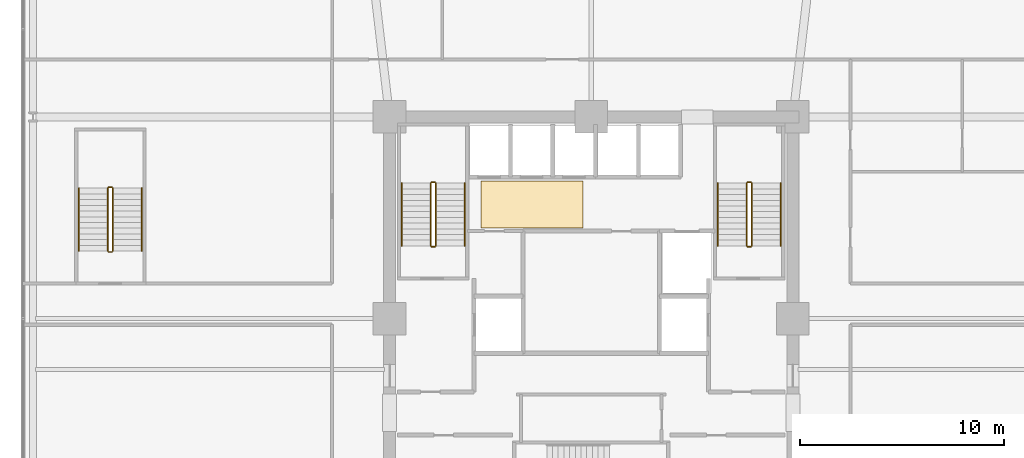
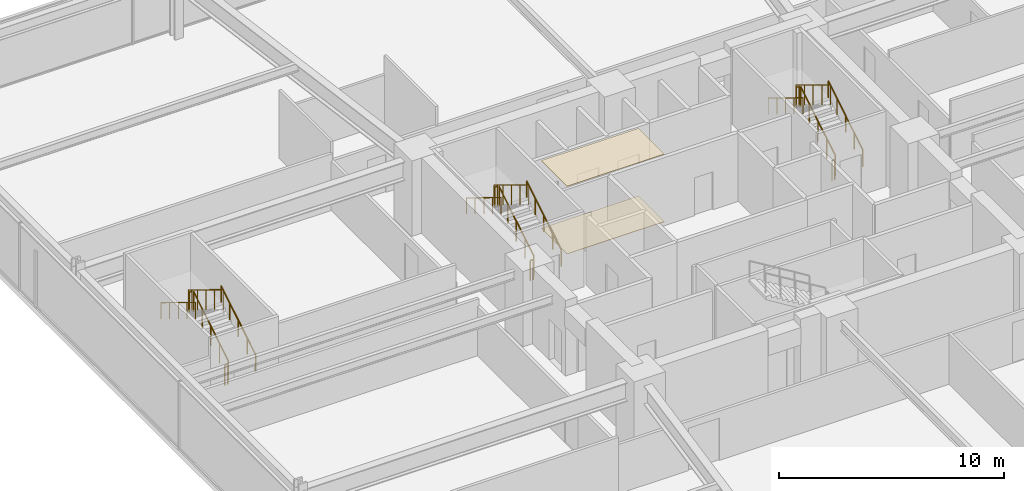
# One storey, part 38 of 39: 18 railings, 2 coverings.
"""IFC4 building model written with IfcOpenShell, lengths in metres."""

from ifc_helpers import new_model, si_unit, direction, frame, origin, origin_2d, place, context, subcontext, project, spatial, polyline, circle, outline, extrude, material, layer, layer_set, type_object, element, save


model = new_model("IFC4")

# Units and contexts
model_context = context("Model", 3, precision=1e-05, world=origin(), true_north=direction((0.0, 1.0)))
body_context = subcontext(model_context, "Body", "Model", "MODEL_VIEW")
ifc_project = project(units=[si_unit("LENGTHUNIT", "METRE"), si_unit("AREAUNIT", "SQUARE_METRE"), si_unit("VOLUMEUNIT", "CUBIC_METRE"), si_unit("PLANEANGLEUNIT", "RADIAN"), si_unit("MASSUNIT", "GRAM", prefix="KILO")], contexts=[model_context])

# Site, building, storey
site_placement = place(None, origin())
site = spatial("IfcSite", under=ifc_project, at=site_placement, CompositionType="ELEMENT")
building_placement = place(site_placement, origin())
building = spatial("IfcBuilding", under=site, at=building_placement, Name="Kolvaren Belvedere", CompositionType="ELEMENT")
storey_placement = place(building_placement, frame((0.0, 0.0, 15.199951171875)))
storey = spatial("IfcBuildingStorey", under=building, at=storey_placement, Name="L04", CompositionType="ELEMENT", Elevation=15.199951171875)

# Coverings
ifc_material_1 = material(Name="Acoustic perforated gypsum board", Category="gypsum")
ifc_layer_1 = layer(ifc_material_1, 0.02490234375)
ifc_layer_set_1 = layer_set([ifc_layer_1], Name="Acoustic perforated gypsum board")
covering_type_1 = type_object("IfcCoveringType", Name="COV-CEIL-GYP", PredefinedType="CEILING", material=ifc_layer_set_1)
covering_1_placement = place(storey_placement, frame((0.0, 0.0, 3.675048828125)))
element("IfcCovering", 1, at=covering_1_placement, inside=storey, type_object=covering_type_1, Name="L04 Lift Lobby Acoustic Baffle Ceiling", PredefinedType="CEILING", context=body_context, shape_type="SweptSolid", body=[
    extrude(outline(polyline([(-5.39990234375, 4.449951171875), (-0.39990234375, 4.449951171875), (-0.39990234375, 6.75), (-5.39990234375, 6.75), (-5.39990234375, 4.449951171875)])), origin(), (0.0, 0.0, 1.0), 0.02490234375),
])
ifc_material_2 = material(Name="Honed Cascade basalt stone", Category="masonry")
ifc_layer_2 = layer(ifc_material_2, 0.02490234375)
ifc_layer_set_2 = layer_set([ifc_layer_2], Name="Honed Cascade basalt stone")
covering_type_2 = type_object("IfcCoveringType", Name="COV-FLR-STONE", PredefinedType="FLOORING", material=ifc_layer_set_2)
covering_2_placement = place(storey_placement, origin())
element("IfcCovering", 2, at=covering_2_placement, inside=storey, type_object=covering_type_2, Name="L04 Lift Lobby Finish Flooring", PredefinedType="FLOORING", context=body_context, shape_type="SweptSolid", body=[
    extrude(outline(polyline([(-5.39990234375, 4.449951171875), (-0.39990234375, 4.449951171875), (-0.39990234375, 6.75), (-5.39990234375, 6.75), (-5.39990234375, 4.449951171875)])), origin(), (0.0, 0.0, 1.0), 0.025146484375),
])

# Railings
ifc_material_3 = material(Name="Brushed stainless-steel handrail", Category="steel")
railing_type_1 = type_object("IfcRailingType", Name="RL-HANDRAIL-920", PredefinedType="HANDRAIL", material=ifc_material_3)
railing_1_placement = place(storey_placement, frame((-6.2099609375, 3.570068359375, 0.1708984375)))
element("IfcRailing", 3, at=railing_1_placement, inside=storey, type_object=railing_type_1, Name="L04 ST-1 stair handrail 1", PredefinedType="HANDRAIL", context=body_context, shape_type="SweptSolid", body=[
    extrude(circle(Radius=0.02392578125, at=origin_2d()), frame((0.0, 0.0, 0.8759765625), z_axis=(0.0, 0.853647949592, 0.520850437417), x_axis=(-1.0, 0.0, 0.0)), (0.0, 0.0, 1.0), 3.60791015625),
    extrude(circle(Radius=0.02099609375, at=origin_2d()), origin(), (0.0, 0.0, 1.0), 0.851806640625),
    extrude(circle(Radius=0.02099609375, at=origin_2d()), frame((0.0, 0.77001953125, 0.4697265625)), (0.0, 0.0, 1.0), 0.851806640625),
    extrude(circle(Radius=0.02099609375, at=origin_2d()), frame((0.0, 1.5400390625, 0.939453125)), (0.0, 0.0, 1.0), 0.851806640625),
    extrude(circle(Radius=0.02099609375, at=origin_2d()), frame((0.0, 2.309814453125, 1.409423828125)), (0.0, 0.0, 1.0), 0.851806640625),
    extrude(circle(Radius=0.02099609375, at=origin_2d()), frame((0.0, 3.079833984375, 1.879150390625)), (0.0, 0.0, 1.0), 0.851806640625),
])
railing_2_placement = place(storey_placement, frame((-9.300048828125, 6.64990234375, 2.220947265625)))
element("IfcRailing", 4, at=railing_2_placement, inside=storey, type_object=railing_type_1, Name="L04 ST-1 stair handrail 2", PredefinedType="HANDRAIL", context=body_context, shape_type="SweptSolid", body=[
    extrude(circle(Radius=0.02392578125, at=origin_2d()), frame((0.0, 0.0, 0.8759765625), z_axis=(0.0, -0.853647949592, 0.520850437417), x_axis=(1.0, 0.0, 0.0)), (0.0, 0.0, 1.0), 3.60791015625),
    extrude(circle(Radius=0.02099609375, at=origin_2d()), origin(), (0.0, 0.0, 1.0), 0.851806640625),
    extrude(circle(Radius=0.02099609375, at=origin_2d()), frame((0.0, -0.77001953125, 0.4697265625)), (0.0, 0.0, 1.0), 0.851806640625),
    extrude(circle(Radius=0.02099609375, at=origin_2d()), frame((0.0, -1.5400390625, 0.939453125)), (0.0, 0.0, 1.0), 0.851806640625),
    extrude(circle(Radius=0.02099609375, at=origin_2d()), frame((0.0, -2.309814453125, 1.409423828125)), (0.0, 0.0, 1.0), 0.851806640625),
    extrude(circle(Radius=0.02099609375, at=origin_2d()), frame((0.0, -3.079833984375, 1.879150390625)), (0.0, 0.0, 1.0), 0.851806640625),
])
railing_3_placement = place(storey_placement, frame((9.300048828125, 3.570068359375, 0.1708984375)))
element("IfcRailing", 5, at=railing_3_placement, inside=storey, type_object=railing_type_1, Name="L04 ST-2 stair handrail 1", PredefinedType="HANDRAIL", context=body_context, shape_type="SweptSolid", body=[
    extrude(circle(Radius=0.02392578125, at=origin_2d()), frame((0.0, 0.0, 0.8759765625), z_axis=(0.0, 0.853647949592, 0.520850437417), x_axis=(-1.0, 0.0, 0.0)), (0.0, 0.0, 1.0), 3.60791015625),
    extrude(circle(Radius=0.02099609375, at=origin_2d()), origin(), (0.0, 0.0, 1.0), 0.851806640625),
    extrude(circle(Radius=0.02099609375, at=origin_2d()), frame((0.0, 0.77001953125, 0.4697265625)), (0.0, 0.0, 1.0), 0.851806640625),
    extrude(circle(Radius=0.02099609375, at=origin_2d()), frame((0.0, 1.5400390625, 0.939453125)), (0.0, 0.0, 1.0), 0.851806640625),
    extrude(circle(Radius=0.02099609375, at=origin_2d()), frame((0.0, 2.309814453125, 1.409423828125)), (0.0, 0.0, 1.0), 0.851806640625),
    extrude(circle(Radius=0.02099609375, at=origin_2d()), frame((0.0, 3.079833984375, 1.879150390625)), (0.0, 0.0, 1.0), 0.851806640625),
])
railing_4_placement = place(storey_placement, frame((6.2099609375, 6.64990234375, 2.220947265625)))
element("IfcRailing", 6, at=railing_4_placement, inside=storey, type_object=railing_type_1, Name="L04 ST-2 stair handrail 2", PredefinedType="HANDRAIL", context=body_context, shape_type="SweptSolid", body=[
    extrude(circle(Radius=0.02392578125, at=origin_2d()), frame((0.0, 0.0, 0.8759765625), z_axis=(0.0, -0.853647949592, 0.520850437417), x_axis=(1.0, 0.0, 0.0)), (0.0, 0.0, 1.0), 3.60791015625),
    extrude(circle(Radius=0.02099609375, at=origin_2d()), origin(), (0.0, 0.0, 1.0), 0.851806640625),
    extrude(circle(Radius=0.02099609375, at=origin_2d()), frame((0.0, -0.77001953125, 0.4697265625)), (0.0, 0.0, 1.0), 0.851806640625),
    extrude(circle(Radius=0.02099609375, at=origin_2d()), frame((0.0, -1.5400390625, 0.939453125)), (0.0, 0.0, 1.0), 0.851806640625),
    extrude(circle(Radius=0.02099609375, at=origin_2d()), frame((0.0, -2.309814453125, 1.409423828125)), (0.0, 0.0, 1.0), 0.851806640625),
    extrude(circle(Radius=0.02099609375, at=origin_2d()), frame((0.0, -3.079833984375, 1.879150390625)), (0.0, 0.0, 1.0), 0.851806640625),
])
railing_5_placement = place(storey_placement, frame((-22.06005859375, 3.320068359375, 0.1708984375)))
element("IfcRailing", 7, at=railing_5_placement, inside=storey, type_object=railing_type_1, Name="L04 ST-P1 stair handrail 1", PredefinedType="HANDRAIL", context=body_context, shape_type="SweptSolid", body=[
    extrude(circle(Radius=0.02392578125, at=origin_2d()), frame((0.0, 0.0, 0.8759765625), z_axis=(0.0, 0.853647949592, 0.520850437417), x_axis=(-1.0, 0.0, 0.0)), (0.0, 0.0, 1.0), 3.60791015625),
    extrude(circle(Radius=0.02099609375, at=origin_2d()), origin(), (0.0, 0.0, 1.0), 0.851806640625),
    extrude(circle(Radius=0.02099609375, at=origin_2d()), frame((0.0, 0.77001953125, 0.4697265625)), (0.0, 0.0, 1.0), 0.851806640625),
    extrude(circle(Radius=0.02099609375, at=origin_2d()), frame((0.0, 1.5400390625, 0.939453125)), (0.0, 0.0, 1.0), 0.851806640625),
    extrude(circle(Radius=0.02099609375, at=origin_2d()), frame((0.0, 2.309814453125, 1.409423828125)), (0.0, 0.0, 1.0), 0.851806640625),
    extrude(circle(Radius=0.02099609375, at=origin_2d()), frame((0.0, 3.079833984375, 1.879150390625)), (0.0, 0.0, 1.0), 0.851806640625),
])
railing_6_placement = place(storey_placement, frame((-25.14990234375, 6.39990234375, 2.220947265625)))
element("IfcRailing", 8, at=railing_6_placement, inside=storey, type_object=railing_type_1, Name="L04 ST-P1 stair handrail 2", PredefinedType="HANDRAIL", context=body_context, shape_type="SweptSolid", body=[
    extrude(circle(Radius=0.02392578125, at=origin_2d()), frame((0.0, 0.0, 0.8759765625), z_axis=(0.0, -0.853647949592, 0.520850437417), x_axis=(1.0, 0.0, 0.0)), (0.0, 0.0, 1.0), 3.60791015625),
    extrude(circle(Radius=0.02099609375, at=origin_2d()), origin(), (0.0, 0.0, 1.0), 0.851806640625),
    extrude(circle(Radius=0.02099609375, at=origin_2d()), frame((0.0, -0.77001953125, 0.4697265625)), (0.0, 0.0, 1.0), 0.851806640625),
    extrude(circle(Radius=0.02099609375, at=origin_2d()), frame((0.0, -1.5400390625, 0.939453125)), (0.0, 0.0, 1.0), 0.851806640625),
    extrude(circle(Radius=0.02099609375, at=origin_2d()), frame((0.0, -2.309814453125, 1.409423828125)), (0.0, 0.0, 1.0), 0.851806640625),
    extrude(circle(Radius=0.02099609375, at=origin_2d()), frame((0.0, -3.079833984375, 1.879150390625)), (0.0, 0.0, 1.0), 0.851806640625),
])
ifc_material_4 = material(Name="Painted tubular steel stair guard", Category="steel")
railing_type_2 = type_object("IfcRailingType", Name="RL-STGUARD-1100", PredefinedType="GUARDRAIL", material=ifc_material_4)
railing_7_placement = place(storey_placement, frame((-7.6298828125, 3.570068359375, 0.1708984375)))
element("IfcRailing", 9, at=railing_7_placement, inside=storey, type_object=railing_type_2, Name="L04 ST-1 stair guard 1", PredefinedType="GUARDRAIL", context=body_context, shape_type="SweptSolid", body=[
    extrude(circle(Radius=0.02392578125, at=origin_2d()), frame((0.0, 0.0, 1.076171875), z_axis=(0.0, 0.853647949592, 0.520850437417), x_axis=(-1.0, 0.0, 0.0)), (0.0, 0.0, 1.0), 3.60791015625),
    extrude(circle(Radius=0.02099609375, at=origin_2d()), origin(), (0.0, 0.0, 1.0), 1.052001953125),
    extrude(circle(Radius=0.02099609375, at=origin_2d()), frame((0.0, 0.77001953125, 0.4697265625)), (0.0, 0.0, 1.0), 1.052001953125),
    extrude(circle(Radius=0.02099609375, at=origin_2d()), frame((0.0, 1.5400390625, 0.939453125)), (0.0, 0.0, 1.0), 1.052001953125),
    extrude(circle(Radius=0.02099609375, at=origin_2d()), frame((0.0, 2.309814453125, 1.409423828125)), (0.0, 0.0, 1.0), 1.052001953125),
    extrude(circle(Radius=0.02099609375, at=origin_2d()), frame((0.0, 3.079833984375, 1.879150390625)), (0.0, 0.0, 1.0), 1.052001953125),
])
railing_8_placement = place(storey_placement, frame((-7.679931640625, 6.699951171875, 2.050048828125)))
element("IfcRailing", 10, at=railing_8_placement, inside=storey, type_object=railing_type_2, Name="L04 ST-1 stair guard 2", PredefinedType="GUARDRAIL", context=body_context, shape_type="SweptSolid", body=[
    extrude(circle(Radius=0.02392578125, at=origin_2d()), frame((0.0, 0.0, 1.076171875), z_axis=(-1.0, 0.0, 0.0), x_axis=(0.0, -1.0, 0.0)), (0.0, 0.0, 1.0), 0.150146484375),
    extrude(circle(Radius=0.02099609375, at=origin_2d()), origin(), (0.0, 0.0, 1.0), 1.052001953125),
    extrude(circle(Radius=0.02099609375, at=origin_2d()), frame((-0.150146484375, 0.0, 0.0)), (0.0, 0.0, 1.0), 1.052001953125),
])
railing_9_placement = place(storey_placement, frame((-7.8798828125, 6.64990234375, 2.220947265625)))
element("IfcRailing", 11, at=railing_9_placement, inside=storey, type_object=railing_type_2, Name="L04 ST-1 stair guard 3", PredefinedType="GUARDRAIL", context=body_context, shape_type="SweptSolid", body=[
    extrude(circle(Radius=0.02392578125, at=origin_2d()), frame((0.0, 0.0, 1.076171875), z_axis=(0.0, -0.853647949592, 0.520850437417), x_axis=(1.0, 0.0, 0.0)), (0.0, 0.0, 1.0), 3.60791015625),
    extrude(circle(Radius=0.02099609375, at=origin_2d()), origin(), (0.0, 0.0, 1.0), 1.052001953125),
    extrude(circle(Radius=0.02099609375, at=origin_2d()), frame((0.0, -0.77001953125, 0.4697265625)), (0.0, 0.0, 1.0), 1.052001953125),
    extrude(circle(Radius=0.02099609375, at=origin_2d()), frame((0.0, -1.5400390625, 0.939453125)), (0.0, 0.0, 1.0), 1.052001953125),
    extrude(circle(Radius=0.02099609375, at=origin_2d()), frame((0.0, -2.309814453125, 1.409423828125)), (0.0, 0.0, 1.0), 1.052001953125),
    extrude(circle(Radius=0.02099609375, at=origin_2d()), frame((0.0, -3.079833984375, 1.879150390625)), (0.0, 0.0, 1.0), 1.052001953125),
])
railing_10_placement = place(storey_placement, frame((-7.679931640625, 3.52001953125, 0.0)))
element("IfcRailing", 12, at=railing_10_placement, inside=storey, type_object=railing_type_2, Name="L04 ST-1 stair guard 4", PredefinedType="GUARDRAIL", context=body_context, shape_type="SweptSolid", body=[
    extrude(circle(Radius=0.02392578125, at=origin_2d()), frame((0.0, 0.0, 1.076171875), z_axis=(-1.0, 0.0, 0.0), x_axis=(0.0, -1.0, 0.0)), (0.0, 0.0, 1.0), 0.150146484375),
    extrude(circle(Radius=0.02099609375, at=origin_2d()), origin(), (0.0, 0.0, 1.0), 1.052001953125),
    extrude(circle(Radius=0.02099609375, at=origin_2d()), frame((-0.150146484375, 0.0, 0.0)), (0.0, 0.0, 1.0), 1.052001953125),
])
railing_11_placement = place(storey_placement, frame((7.8798828125, 3.570068359375, 0.1708984375)))
element("IfcRailing", 13, at=railing_11_placement, inside=storey, type_object=railing_type_2, Name="L04 ST-2 stair guard 1", PredefinedType="GUARDRAIL", context=body_context, shape_type="SweptSolid", body=[
    extrude(circle(Radius=0.02392578125, at=origin_2d()), frame((0.0, 0.0, 1.076171875), z_axis=(0.0, 0.853647949592, 0.520850437417), x_axis=(-1.0, 0.0, 0.0)), (0.0, 0.0, 1.0), 3.60791015625),
    extrude(circle(Radius=0.02099609375, at=origin_2d()), origin(), (0.0, 0.0, 1.0), 1.052001953125),
    extrude(circle(Radius=0.02099609375, at=origin_2d()), frame((0.0, 0.77001953125, 0.4697265625)), (0.0, 0.0, 1.0), 1.052001953125),
    extrude(circle(Radius=0.02099609375, at=origin_2d()), frame((0.0, 1.5400390625, 0.939453125)), (0.0, 0.0, 1.0), 1.052001953125),
    extrude(circle(Radius=0.02099609375, at=origin_2d()), frame((0.0, 2.309814453125, 1.409423828125)), (0.0, 0.0, 1.0), 1.052001953125),
    extrude(circle(Radius=0.02099609375, at=origin_2d()), frame((0.0, 3.079833984375, 1.879150390625)), (0.0, 0.0, 1.0), 1.052001953125),
])
railing_12_placement = place(storey_placement, frame((7.830078125, 6.699951171875, 2.050048828125)))
element("IfcRailing", 14, at=railing_12_placement, inside=storey, type_object=railing_type_2, Name="L04 ST-2 stair guard 2", PredefinedType="GUARDRAIL", context=body_context, shape_type="SweptSolid", body=[
    extrude(circle(Radius=0.02392578125, at=origin_2d()), frame((0.0, 0.0, 1.076171875), z_axis=(-1.0, 0.0, 0.0), x_axis=(0.0, -1.0, 0.0)), (0.0, 0.0, 1.0), 0.150146484375),
    extrude(circle(Radius=0.02099609375, at=origin_2d()), origin(), (0.0, 0.0, 1.0), 1.052001953125),
    extrude(circle(Radius=0.02099609375, at=origin_2d()), frame((-0.150146484375, 0.0, 0.0)), (0.0, 0.0, 1.0), 1.052001953125),
])
railing_13_placement = place(storey_placement, frame((7.6298828125, 6.64990234375, 2.220947265625)))
element("IfcRailing", 15, at=railing_13_placement, inside=storey, type_object=railing_type_2, Name="L04 ST-2 stair guard 3", PredefinedType="GUARDRAIL", context=body_context, shape_type="SweptSolid", body=[
    extrude(circle(Radius=0.02392578125, at=origin_2d()), frame((0.0, 0.0, 1.076171875), z_axis=(0.0, -0.853647949592, 0.520850437417), x_axis=(1.0, 0.0, 0.0)), (0.0, 0.0, 1.0), 3.60791015625),
    extrude(circle(Radius=0.02099609375, at=origin_2d()), origin(), (0.0, 0.0, 1.0), 1.052001953125),
    extrude(circle(Radius=0.02099609375, at=origin_2d()), frame((0.0, -0.77001953125, 0.4697265625)), (0.0, 0.0, 1.0), 1.052001953125),
    extrude(circle(Radius=0.02099609375, at=origin_2d()), frame((0.0, -1.5400390625, 0.939453125)), (0.0, 0.0, 1.0), 1.052001953125),
    extrude(circle(Radius=0.02099609375, at=origin_2d()), frame((0.0, -2.309814453125, 1.409423828125)), (0.0, 0.0, 1.0), 1.052001953125),
    extrude(circle(Radius=0.02099609375, at=origin_2d()), frame((0.0, -3.079833984375, 1.879150390625)), (0.0, 0.0, 1.0), 1.052001953125),
])
railing_14_placement = place(storey_placement, frame((7.830078125, 3.52001953125, 0.0)))
element("IfcRailing", 16, at=railing_14_placement, inside=storey, type_object=railing_type_2, Name="L04 ST-2 stair guard 4", PredefinedType="GUARDRAIL", context=body_context, shape_type="SweptSolid", body=[
    extrude(circle(Radius=0.02392578125, at=origin_2d()), frame((0.0, 0.0, 1.076171875), z_axis=(-1.0, 0.0, 0.0), x_axis=(0.0, -1.0, 0.0)), (0.0, 0.0, 1.0), 0.150146484375),
    extrude(circle(Radius=0.02099609375, at=origin_2d()), origin(), (0.0, 0.0, 1.0), 1.052001953125),
    extrude(circle(Radius=0.02099609375, at=origin_2d()), frame((-0.150146484375, 0.0, 0.0)), (0.0, 0.0, 1.0), 1.052001953125),
])
railing_15_placement = place(storey_placement, frame((-23.47998046875, 3.320068359375, 0.1708984375)))
element("IfcRailing", 17, at=railing_15_placement, inside=storey, type_object=railing_type_2, Name="L04 ST-P1 stair guard 1", PredefinedType="GUARDRAIL", context=body_context, shape_type="SweptSolid", body=[
    extrude(circle(Radius=0.02392578125, at=origin_2d()), frame((0.0, 0.0, 1.076171875), z_axis=(0.0, 0.853647949592, 0.520850437417), x_axis=(-1.0, 0.0, 0.0)), (0.0, 0.0, 1.0), 3.60791015625),
    extrude(circle(Radius=0.02099609375, at=origin_2d()), origin(), (0.0, 0.0, 1.0), 1.052001953125),
    extrude(circle(Radius=0.02099609375, at=origin_2d()), frame((0.0, 0.77001953125, 0.4697265625)), (0.0, 0.0, 1.0), 1.052001953125),
    extrude(circle(Radius=0.02099609375, at=origin_2d()), frame((0.0, 1.5400390625, 0.939453125)), (0.0, 0.0, 1.0), 1.052001953125),
    extrude(circle(Radius=0.02099609375, at=origin_2d()), frame((0.0, 2.309814453125, 1.409423828125)), (0.0, 0.0, 1.0), 1.052001953125),
    extrude(circle(Radius=0.02099609375, at=origin_2d()), frame((0.0, 3.079833984375, 1.879150390625)), (0.0, 0.0, 1.0), 1.052001953125),
])
railing_16_placement = place(storey_placement, frame((-23.530029296875, 6.449951171875, 2.050048828125)))
element("IfcRailing", 18, at=railing_16_placement, inside=storey, type_object=railing_type_2, Name="L04 ST-P1 stair guard 2", PredefinedType="GUARDRAIL", context=body_context, shape_type="SweptSolid", body=[
    extrude(circle(Radius=0.02392578125, at=origin_2d()), frame((0.0, 0.0, 1.076171875), z_axis=(-1.0, 0.0, 0.0), x_axis=(0.0, -1.0, 0.0)), (0.0, 0.0, 1.0), 0.14990234375),
    extrude(circle(Radius=0.02099609375, at=origin_2d()), origin(), (0.0, 0.0, 1.0), 1.052001953125),
    extrude(circle(Radius=0.02099609375, at=origin_2d()), frame((-0.14990234375, 0.0, 0.0)), (0.0, 0.0, 1.0), 1.052001953125),
])
railing_17_placement = place(storey_placement, frame((-23.72998046875, 6.39990234375, 2.220947265625)))
element("IfcRailing", 19, at=railing_17_placement, inside=storey, type_object=railing_type_2, Name="L04 ST-P1 stair guard 3", PredefinedType="GUARDRAIL", context=body_context, shape_type="SweptSolid", body=[
    extrude(circle(Radius=0.02392578125, at=origin_2d()), frame((0.0, 0.0, 1.076171875), z_axis=(0.0, -0.853647949592, 0.520850437417), x_axis=(1.0, 0.0, 0.0)), (0.0, 0.0, 1.0), 3.60791015625),
    extrude(circle(Radius=0.02099609375, at=origin_2d()), origin(), (0.0, 0.0, 1.0), 1.052001953125),
    extrude(circle(Radius=0.02099609375, at=origin_2d()), frame((0.0, -0.77001953125, 0.4697265625)), (0.0, 0.0, 1.0), 1.052001953125),
    extrude(circle(Radius=0.02099609375, at=origin_2d()), frame((0.0, -1.5400390625, 0.939453125)), (0.0, 0.0, 1.0), 1.052001953125),
    extrude(circle(Radius=0.02099609375, at=origin_2d()), frame((0.0, -2.309814453125, 1.409423828125)), (0.0, 0.0, 1.0), 1.052001953125),
    extrude(circle(Radius=0.02099609375, at=origin_2d()), frame((0.0, -3.079833984375, 1.879150390625)), (0.0, 0.0, 1.0), 1.052001953125),
])
railing_18_placement = place(storey_placement, frame((-23.530029296875, 3.27001953125, 0.0)))
element("IfcRailing", 20, at=railing_18_placement, inside=storey, type_object=railing_type_2, Name="L04 ST-P1 stair guard 4", PredefinedType="GUARDRAIL", context=body_context, shape_type="SweptSolid", body=[
    extrude(circle(Radius=0.02392578125, at=origin_2d()), frame((0.0, 0.0, 1.076171875), z_axis=(-1.0, 0.0, 0.0), x_axis=(0.0, -1.0, 0.0)), (0.0, 0.0, 1.0), 0.14990234375),
    extrude(circle(Radius=0.02099609375, at=origin_2d()), origin(), (0.0, 0.0, 1.0), 1.052001953125),
    extrude(circle(Radius=0.02099609375, at=origin_2d()), frame((-0.14990234375, 0.0, 0.0)), (0.0, 0.0, 1.0), 1.052001953125),
])

save(model, "model.ifc")
